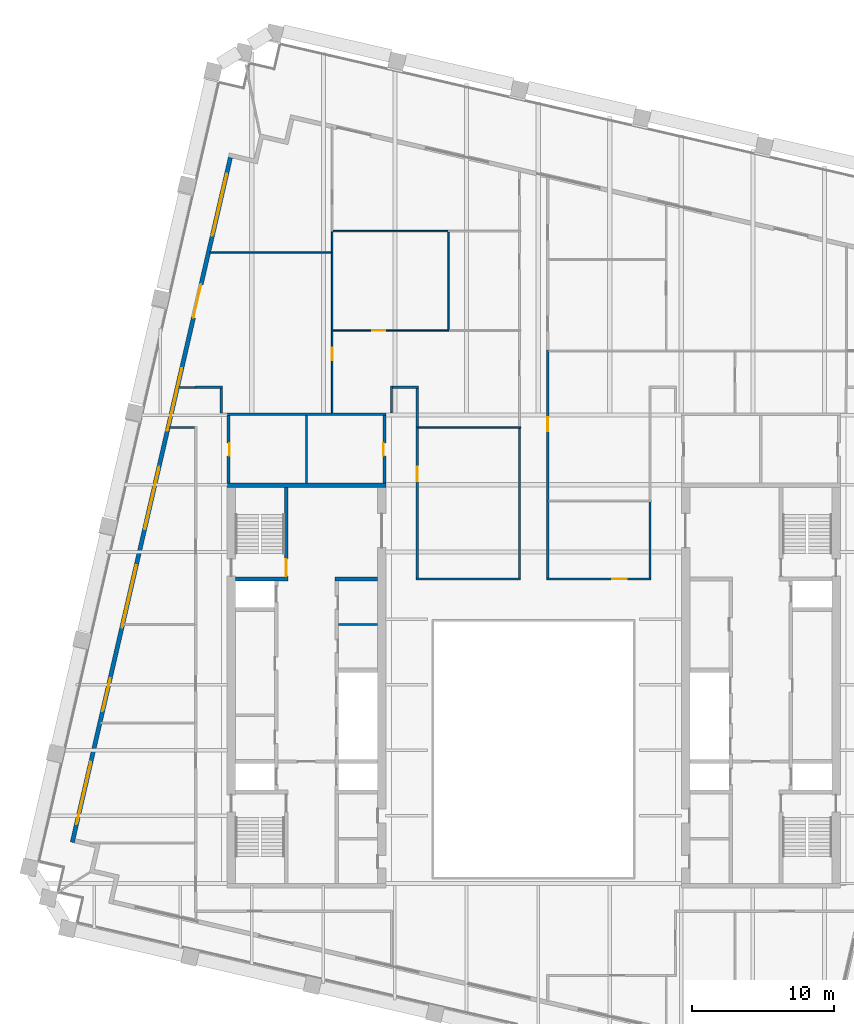
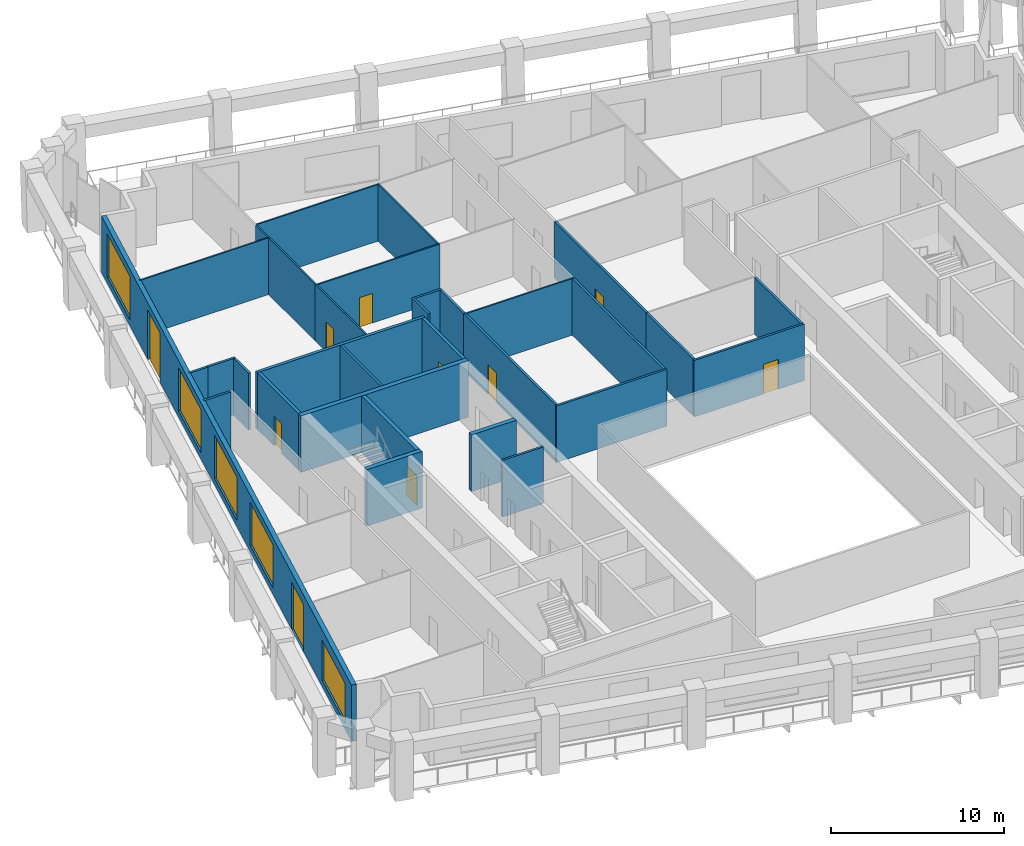
# One storey, part 6 of 10: 32 walls, 10 doors, 5 windows, 15 openings.
"""IFC4 building model written with IfcOpenShell, lengths in metres."""

import ifcopenshell
import ifcopenshell.guid

model = None  # the IFC model being written
_history = None  # IfcOwnerHistory: only IFC2X3 demands one
_inside = {}  # id of a spatial element -> (the spatial element, [elements in it])
_under = {}  # id of a project, library or spatial element -> (it, [spatial elements below it])
_declared = {}  # id of a project -> (the project, [libraries it declares])
_typed = {}  # id of a type object -> (the type object, [elements of that type])
_made_of = {}  # id of a material, layer set ... -> (it, [elements and type objects made of it])


def new_model(schema):
    """Start an empty IFC model of exactly this schema.

    Asked for "IFC4X3", IfcOpenShell would pick the latest addendum, in which some entities
    have other attributes; the version numbers below select the first issue.
    IFC2X3 requires an IfcOwnerHistory on every rooted entity: one is made here for all.
    """
    global model, _history
    if schema == "IFC4X3":
        model = ifcopenshell.file(schema_version=(4, 3, 0, 0))
    else:
        model = ifcopenshell.file(schema=schema)
    _inside.clear()
    _under.clear()
    _declared.clear()
    _typed.clear()
    _made_of.clear()
    _history = None
    if model.schema == "IFC2X3":
        org = make("IfcOrganization", Name="unknown")
        user = make(
            "IfcPersonAndOrganization",
            ThePerson=make("IfcPerson", FamilyName="unknown"),
            TheOrganization=org,
        )
        app = make(
            "IfcApplication",
            ApplicationDeveloper=org,
            Version="unknown",
            ApplicationFullName="unknown",
            ApplicationIdentifier="unknown",
        )
        _history = make(
            "IfcOwnerHistory",
            OwningUser=user,
            OwningApplication=app,
            ChangeAction="ADDED",
            CreationDate=0,
        )
    return model


def make(cls, **values):
    """One entity of the class cls with the attributes given. An attribute that is None is left unset."""
    return model.create_entity(
        cls, **{name: value for name, value in values.items() if value is not None}
    )


def rooted(cls, **values):
    """An entity with a GlobalId (a new one), such as an element, a storey or a relation."""
    return make(cls, GlobalId=ifcopenshell.guid.new(), OwnerHistory=_history, **values)


def si_unit(unit_type, name, prefix=None):
    """IfcSIUnit, for example si_unit("LENGTHUNIT", "METRE", prefix="MILLI")."""
    return make("IfcSIUnit", UnitType=unit_type, Prefix=prefix, Name=name)


def assignment(units):
    """IfcUnitAssignment: the units of a project."""
    return None if units is None else make("IfcUnitAssignment", Units=units)


def point(xyz):
    """IfcCartesianPoint."""
    return None if xyz is None else make("IfcCartesianPoint", Coordinates=xyz)


def direction(xyz):
    """IfcDirection."""
    return None if xyz is None else make("IfcDirection", DirectionRatios=xyz)


def frame(location, z_axis=None, x_axis=None):
    """IfcAxis2Placement3D, a coordinate frame: its origin and axes. An axis left out is left unset."""
    return make(
        "IfcAxis2Placement3D",
        Location=point(location),
        Axis=direction(z_axis),
        RefDirection=direction(x_axis),
    )


def frame_2d(location, x_axis=None):
    """IfcAxis2Placement2D, a coordinate frame in the plane: its origin and x axis."""
    return make(
        "IfcAxis2Placement2D", Location=point(location), RefDirection=direction(x_axis)
    )


def origin():
    """The frame at (0, 0, 0) with its axes left unset."""
    return frame((0.0, 0.0, 0.0))


def place(relative_to, where):
    """IfcLocalPlacement: puts the frame where relative to a parent placement (None: the world)."""
    return make(
        "IfcLocalPlacement", PlacementRelTo=relative_to, RelativePlacement=where
    )


def context(
    kind, dimensions, precision=None, world=None, true_north=None, identifier=None
):
    """IfcGeometricRepresentationContext, for example the 3D "Model" context."""
    return make(
        "IfcGeometricRepresentationContext",
        ContextIdentifier=identifier,
        ContextType=kind,
        CoordinateSpaceDimension=dimensions,
        Precision=precision,
        WorldCoordinateSystem=world,
        TrueNorth=true_north,
    )


def subcontext(parent, identifier, kind, view, scale=None):
    """IfcGeometricRepresentationSubContext, for example "Body" below "Model"."""
    return make(
        "IfcGeometricRepresentationSubContext",
        ContextIdentifier=identifier,
        ContextType=kind,
        ParentContext=parent,
        TargetScale=scale,
        TargetView=view,
    )


def project(units=None, contexts=None):
    """IfcProject with its units and contexts."""
    return rooted(
        "IfcProject",
        Name="project",
        RepresentationContexts=contexts,
        UnitsInContext=assignment(units),
    )


def spatial(cls, under=None, at=None, **own):
    """A site, building, storey or space (cls), placed at a placement, below another one or the project."""
    s = rooted(cls, ObjectPlacement=at, **own)
    if under is not None:
        _under.setdefault(under.id(), (under, []))[1].append(s)
    return s


def profile(cls, at=None, kind="AREA", **sizes):
    """A parametric profile (cls). Its sizes go by their IFC names, for example OverallWidth=200.0."""
    return make(cls, ProfileType=kind, Position=at, **sizes)


def rectangle(**sizes):
    """IfcRectangleProfileDef."""
    return profile("IfcRectangleProfileDef", **sizes)


def extrude(swept, where, along, depth):
    """IfcExtrudedAreaSolid: the profile swept, set in the frame where, extruded along a direction by depth."""
    return make(
        "IfcExtrudedAreaSolid",
        SweptArea=swept,
        Position=where,
        ExtrudedDirection=direction(along),
        Depth=depth,
    )


def shape(context_of_items, identifier, shape_type, items):
    """IfcShapeRepresentation: the items that make up one representation, for example the "Body"."""
    return make(
        "IfcShapeRepresentation",
        ContextOfItems=context_of_items,
        RepresentationIdentifier=identifier,
        RepresentationType=shape_type,
        Items=items,
    )


def material(Name=None, Category=None):
    """IfcMaterial."""
    return make("IfcMaterial", Name=Name, Category=Category)


def layer(
    of_material, thickness, ventilated=None, Name=None, Category=None, Priority=None
):
    """IfcMaterialLayer: one layer of a wall or slab, of a material (None: an air gap)."""
    return make(
        "IfcMaterialLayer",
        Material=of_material,
        LayerThickness=thickness,
        IsVentilated=ventilated,
        Name=Name,
        Category=Category,
        Priority=Priority,
    )


def layer_set(layers, Name=None):
    """IfcMaterialLayerSet."""
    return make("IfcMaterialLayerSet", MaterialLayers=layers, LayerSetName=Name)


def made_of(thing, what):
    """Note that an element or type object is made of a material, layer set ...; save() writes the relation."""
    if what is not None:
        _made_of.setdefault(what.id(), (what, []))[1].append(thing)
    return thing


def type_object(cls, material=None, **own):
    """A type object (cls), such as IfcWallType, which elements share."""
    return made_of(rooted(cls, **own), material)


def element(
    cls,
    number,
    at=None,
    inside=None,
    cuts=None,
    type_object=None,
    material=None,
    context=None,
    identifier="Body",
    shape_type=None,
    held_by="IfcProductDefinitionShape",
    body=None,
    shapes=None,
    **own,
):
    """One element of the class cls, such as IfcWall. Its Tag is "e" and its number.

    at: its placement. inside: the storey or other place that contains it. cuts: it is an
    opening in that element (IfcRelVoidsElement). A single representation is given by context,
    identifier, shape_type and body (its items); several are given by shapes. held_by: the class
    of the entity that holds the representations. save() writes the other relations.
    """
    e = rooted(cls, Tag="e%d" % number, ObjectPlacement=at, **own)
    if body is not None:
        shapes = [shape(context, identifier, shape_type, body)]
    if shapes is not None:
        e.Representation = make(held_by, Representations=shapes)
    if inside is not None:
        _inside.setdefault(inside.id(), (inside, []))[1].append(e)
    if cuts is not None:
        rooted(
            "IfcRelVoidsElement", RelatingBuildingElement=cuts, RelatedOpeningElement=e
        )
    if type_object is not None:
        _typed.setdefault(type_object.id(), (type_object, []))[1].append(e)
    return made_of(e, material)


def fill(opening, filler):
    """IfcRelFillsElement: the door or window that sits in an opening."""
    return rooted(
        "IfcRelFillsElement",
        RelatingOpeningElement=opening,
        RelatedBuildingElement=filler,
    )


def aggregate(whole, parts):
    """IfcRelAggregates: a whole, such as a stair, and the parts it consists of."""
    return rooted("IfcRelAggregates", RelatingObject=whole, RelatedObjects=parts)


def save(model, path):
    """Write the relations noted so far, then the file.

    IfcRelAggregates (storeys below a building ...), IfcRelContainedInSpatialStructure (elements
    in a storey), IfcRelDefinesByType, IfcRelAssociatesMaterial and IfcRelDeclares: one each for
    every whole, place, type object, material and project.
    """
    for whole, parts in _under.values():
        aggregate(whole, parts)
    for where, things in _inside.values():
        rooted(
            "IfcRelContainedInSpatialStructure",
            RelatedElements=things,
            RelatingStructure=where,
        )
    for kind, things in _typed.values():
        rooted("IfcRelDefinesByType", RelatedObjects=things, RelatingType=kind)
    for what, things in _made_of.values():
        rooted("IfcRelAssociatesMaterial", RelatedObjects=things, RelatingMaterial=what)
    for by, libraries in _declared.values():
        rooted("IfcRelDeclares", RelatingContext=by, RelatedDefinitions=libraries)
    model.write(path)


model = new_model("IFC4")

# Units and contexts
model_context = context("Model", 3, precision=1e-05, world=origin(), true_north=direction((0.0, 1.0)))
body_context = subcontext(model_context, "Body", "Model", "MODEL_VIEW")
ifc_project = project(units=[si_unit("LENGTHUNIT", "METRE"), si_unit("AREAUNIT", "SQUARE_METRE"), si_unit("VOLUMEUNIT", "CUBIC_METRE"), si_unit("PLANEANGLEUNIT", "RADIAN"), si_unit("MASSUNIT", "GRAM", prefix="KILO")], contexts=[model_context])

# Site, building, storey
site_placement = place(None, origin())
site = spatial("IfcSite", under=ifc_project, at=site_placement, CompositionType="ELEMENT")
building_placement = place(site_placement, origin())
building = spatial("IfcBuilding", under=site, at=building_placement, Name="Ogive Exchange Tower", CompositionType="ELEMENT")
storey_placement = place(building_placement, frame((0.0, 0.0, 268.199951171875)))
storey = spatial("IfcBuildingStorey", under=building, at=storey_placement, Name="L58", CompositionType="ELEMENT", Elevation=268.199951171875)

# Walls
ifc_material_1 = material(Name="Gypsum board partition")
ifc_layer_1 = layer(ifc_material_1, 0.14990234375)
ifc_layer_set_1 = layer_set([ifc_layer_1], Name="Core room partition 150 gypsum")
wall_type_1 = type_object("IfcWallType", Name="Core room partition 150 gypsum", PredefinedType="PARTITIONING", material=ifc_layer_set_1)
wall_1_placement = place(storey_placement, frame((-13.75, 15.800048828125, 0.0), z_axis=(0.0, 0.0, 1.0), x_axis=(1.0, 0.0, 0.0)))
element("IfcWall", 1, at=wall_1_placement, inside=storey, type_object=wall_type_1, Name="W row B bay partition 4-1", PredefinedType="PARTITIONING", context=body_context, shape_type="SweptSolid", body=[
    extrude(rectangle(XDim=2.75, YDim=0.14990234375, at=frame_2d((1.375, 0.0))), origin(), (0.0, 0.0, 1.0), 4.0),
])
wall_2_placement = place(storey_placement, frame((-16.0, 25.75, 0.0), z_axis=(0.0, 0.0, 1.0), x_axis=(0.0, 1.0, 0.0)))
element("IfcWall", 2, at=wall_2_placement, inside=storey, type_object=wall_type_1, Name="W annex N column wall", PredefinedType="PARTITIONING", context=body_context, shape_type="SweptSolid", body=[
    extrude(rectangle(XDim=4.75, YDim=0.14990234375, at=frame_2d((2.375, 0.0))), origin(), (0.0, 0.0, 1.0), 4.0),
])
ifc_layer_2 = layer(ifc_material_1, 0.300048828125)
ifc_layer_set_2 = layer_set([ifc_layer_2], Name="Core room partition 300 gypsum")
wall_type_2 = type_object("IfcWallType", Name="Core room partition 300 gypsum", PredefinedType="PARTITIONING", material=ifc_layer_set_2)
wall_3_placement = place(storey_placement, frame((-14.0, 19.0, 0.0), z_axis=(0.0, 0.0, 1.0), x_axis=(1.0, 0.0, 0.0)))
element("IfcWall", 3, at=wall_3_placement, inside=storey, type_object=wall_type_2, Name="W row B room end wall 7", PredefinedType="PARTITIONING", context=body_context, shape_type="SweptSolid", body=[
    extrude(rectangle(XDim=3.0, YDim=0.300048828125, at=frame_2d((1.5, 0.0))), origin(), (0.0, 0.0, 1.0), 4.0),
])
ifc_material_2 = material(Name="Fire partition EI 60 150")
ifc_layer_3 = layer(ifc_material_2, 0.14990234375)
ifc_layer_set_3 = layer_set([ifc_layer_3], Name="Fire partition EI 60 150")
wall_type_3 = type_object("IfcWallType", Name="Fire partition EI 60 150", PredefinedType="PARTITIONING", material=ifc_layer_set_3)
wall_4_placement = place(storey_placement, frame((-25.02490234375, 32.489990234375, 0.0), z_axis=(0.0, 0.0, 1.0), x_axis=(1.0, 0.0, 0.0)))
element("IfcWall", 4, at=wall_4_placement, inside=storey, type_object=wall_type_3, Name="L58-PWL-001", PredefinedType="PARTITIONING", context=body_context, shape_type="SweptSolid", body=[
    extrude(rectangle(XDim=1.224853515625, YDim=0.14990234375, at=frame_2d((0.6123046875, 0.0))), origin(), (0.0, 0.0, 1.0), 4.0),
])
wall_5_placement = place(storey_placement, frame((-23.875, 29.659912109375, 0.0), z_axis=(0.0, 0.0, 1.0), x_axis=(-1.0, 0.0, 0.0)))
element("IfcWall", 5, at=wall_5_placement, inside=storey, type_object=wall_type_3, Name="L58-PWL-009", PredefinedType="PARTITIONING", context=body_context, shape_type="SweptSolid", body=[
    extrude(rectangle(XDim=1.802978515625, YDim=0.14990234375, at=frame_2d((0.9013671875, 0.0))), origin(), (0.0, 0.0, 1.0), 4.0),
])
wall_6_placement = place(storey_placement, frame((-23.800048828125, 32.5, 0.0), z_axis=(0.0, 0.0, 1.0), x_axis=(1.0, 0.0, 0.0)))
element("IfcWall", 6, at=wall_6_placement, inside=storey, type_object=wall_type_3, Name="L58-PWL-010", PredefinedType="PARTITIONING", context=body_context, shape_type="SweptSolid", body=[
    extrude(rectangle(XDim=1.875, YDim=0.14990234375, at=frame_2d((0.9375, 0.0))), origin(), (0.0, 0.0, 1.0), 4.0),
])
wall_7_placement = place(storey_placement, frame((-22.0, 32.425048828125, 0.0), z_axis=(0.0, 0.0, 1.0), x_axis=(0.0, -1.0, 0.0)))
element("IfcWall", 7, at=wall_7_placement, inside=storey, type_object=wall_type_3, Name="L58-PWL-012", PredefinedType="PARTITIONING", context=body_context, shape_type="SweptSolid", body=[
    extrude(rectangle(XDim=1.72509765625, YDim=0.14990234375, at=frame_2d((0.862548828125, 0.0))), origin(), (0.0, 0.0, 1.0), 4.0),
])
wall_8_placement = place(storey_placement, frame((-10.0, 30.699951171875, 0.0), z_axis=(0.0, 0.0, 1.0), x_axis=(0.0, 1.0, 0.0)))
element("IfcWall", 8, at=wall_8_placement, inside=storey, type_object=wall_type_3, Name="L58-PWL-022", PredefinedType="PARTITIONING", context=body_context, shape_type="SweptSolid", body=[
    extrude(rectangle(XDim=1.875, YDim=0.14990234375, at=frame_2d((0.9375, 0.0))), origin(), (0.0, 0.0, 1.0), 4.0),
])
wall_9_placement = place(storey_placement, frame((-9.925048828125, 32.5, 0.0), z_axis=(0.0, 0.0, 1.0), x_axis=(1.0, 0.0, 0.0)))
element("IfcWall", 9, at=wall_9_placement, inside=storey, type_object=wall_type_3, Name="L58-PWL-023", PredefinedType="PARTITIONING", context=body_context, shape_type="SweptSolid", body=[
    extrude(rectangle(XDim=1.800048828125, YDim=0.14990234375, at=frame_2d((0.89990234375, 0.0))), origin(), (0.0, 0.0, 1.0), 4.0),
])
wall_10_placement = place(storey_placement, frame((-8.27490234375, 19.0, 0.0), z_axis=(0.0, 0.0, 1.0), x_axis=(1.0, 0.0, 0.0)))
element("IfcWall", 10, at=wall_10_placement, inside=storey, type_object=wall_type_3, Name="L58-PWL-024", PredefinedType="PARTITIONING", context=body_context, shape_type="SweptSolid", body=[
    extrude(rectangle(XDim=7.35986328125, YDim=0.14990234375, at=frame_2d((3.679931640625, 0.0))), origin(), (0.0, 0.0, 1.0), 4.0),
])

# Wall, opening, door
wall_11_placement = place(storey_placement, frame((-8.199951171875, 29.7099609375, 0.0), z_axis=(0.0, 0.0, 1.0), x_axis=(0.0, -1.0, 0.0)))
wall_11 = element("IfcWall", 11, at=wall_11_placement, inside=storey, type_object=wall_type_3, Name="L58-PWL-025", PredefinedType="PARTITIONING", context=body_context, shape_type="SweptSolid", body=[
    extrude(rectangle(XDim=10.635009765625, YDim=0.14990234375, at=frame_2d((5.3173828125, 0.0))), origin(), (0.0, 0.0, 1.0), 4.0),
])
opening_1_placement = place(wall_11_placement, frame((2.81005859375, 0.0, 0.0)))
opening_1 = element("IfcOpeningElement", 12, at=opening_1_placement, cuts=wall_11, Name="Opening L58-I15", PredefinedType="OPENING", context=body_context, shape_type="SweptSolid", body=[
    extrude(rectangle(XDim=1.0, YDim=2.10009765625, at=frame_2d((0.5, 1.050048828125))), frame((0.0, 0.0849609375, 0.0), z_axis=(0.0, -1.0, 0.0), x_axis=(1.0, 0.0, 0.0)), (0.0, 0.0, 1.0), 0.169921875),
])
ifc_material_3 = material(Name="Fire door FD 30S 1000 x 2100")
door_type_1 = type_object("IfcDoorType", Name="Fire door FD 30S 1000 x 2100", OperationType="NOTDEFINED", PredefinedType="DOOR", material=ifc_material_3)
door_1_placement = place(opening_1_placement, origin())
door_1 = element("IfcDoor", 13, at=door_1_placement, inside=storey, type_object=door_type_1, Name="L58-IDR-015", ObjectType="DT3", OperationType="SINGLE_SWING_RIGHT", OverallHeight=2.10009765625, OverallWidth=1.0, PredefinedType="DOOR", context=body_context, shape_type="SweptSolid", body=[
    extrude(rectangle(XDim=1.0, YDim=2.10009765625, at=frame_2d((0.5, 1.050048828125))), frame((0.0, 0.02490234375, 0.0), z_axis=(0.0, -1.0, 0.0), x_axis=(1.0, 0.0, 0.0)), (0.0, 0.0, 1.0), 0.050048828125),
])
fill(opening_1, door_1)

# Walls
wall_12_placement = place(storey_placement, frame((-8.199951171875, 32.425048828125, 0.0), z_axis=(0.0, 0.0, 1.0), x_axis=(0.0, -1.0, 0.0)))
element("IfcWall", 14, at=wall_12_placement, inside=storey, type_object=wall_type_3, Name="L58-PWL-027", PredefinedType="PARTITIONING", context=body_context, shape_type="SweptSolid", body=[
    extrude(rectangle(XDim=2.715087890625, YDim=0.14990234375, at=frame_2d((1.357421875, 0.0))), origin(), (0.0, 0.0, 1.0), 4.0),
])
wall_13_placement = place(storey_placement, frame((-0.989990234375, 19.074951171875, 0.0), z_axis=(0.0, 0.0, 1.0), x_axis=(0.0, 1.0, 0.0)))
element("IfcWall", 15, at=wall_13_placement, inside=storey, type_object=wall_type_3, Name="L58-PWL-031", PredefinedType="PARTITIONING", context=body_context, shape_type="SweptSolid", body=[
    extrude(rectangle(XDim=10.53515625, YDim=0.14990234375, at=frame_2d((5.267578125, 0.0))), origin(), (0.0, 0.0, 1.0), 4.0),
])

# Wall, opening, door
wall_14_placement = place(storey_placement, frame((0.9150390625, 19.0, 0.0), z_axis=(0.0, 0.0, 1.0), x_axis=(1.0, 0.0, 0.0)))
wall_14 = element("IfcWall", 16, at=wall_14_placement, inside=storey, type_object=wall_type_3, Name="L58-PWL-036", PredefinedType="PARTITIONING", context=body_context, shape_type="SweptSolid", body=[
    extrude(rectangle(XDim=7.35986328125, YDim=0.14990234375, at=frame_2d((3.679931640625, 0.0))), origin(), (0.0, 0.0, 1.0), 4.0),
])
opening_2_placement = place(wall_14_placement, frame((4.635009765625, 0.0, 0.0)))
opening_2 = element("IfcOpeningElement", 17, at=opening_2_placement, cuts=wall_14, Name="Opening L58-I04", PredefinedType="OPENING", context=body_context, shape_type="SweptSolid", body=[
    extrude(rectangle(XDim=1.0, YDim=2.10009765625, at=frame_2d((0.5, 1.050048828125))), frame((0.0, 0.0849609375, 0.0), z_axis=(0.0, -1.0, 0.0), x_axis=(1.0, 0.0, 0.0)), (0.0, 0.0, 1.0), 0.169921875),
])
door_2_placement = place(opening_2_placement, origin())
door_2 = element("IfcDoor", 18, at=door_2_placement, inside=storey, type_object=door_type_1, Name="L58-IDR-004", ObjectType="DT3", OperationType="SINGLE_SWING_LEFT", OverallHeight=2.10009765625, OverallWidth=1.0, PredefinedType="DOOR", context=body_context, shape_type="SweptSolid", body=[
    extrude(rectangle(XDim=1.0, YDim=2.10009765625, at=frame_2d((0.5, 1.050048828125))), frame((0.0, 0.02490234375, 0.0), z_axis=(0.0, -1.0, 0.0), x_axis=(1.0, 0.0, 0.0)), (0.0, 0.0, 1.0), 0.050048828125),
])
fill(opening_2, door_2)

# Wall
wall_15_placement = place(storey_placement, frame((0.989990234375, 24.5, 0.0), z_axis=(0.0, 0.0, 1.0), x_axis=(0.0, -1.0, 0.0)))
element("IfcWall", 19, at=wall_15_placement, inside=storey, type_object=wall_type_3, Name="L58-PWL-037", PredefinedType="PARTITIONING", context=body_context, shape_type="SweptSolid", body=[
    extrude(rectangle(XDim=5.425048828125, YDim=0.14990234375, at=frame_2d((2.71240234375, 0.0))), origin(), (0.0, 0.0, 1.0), 4.0),
])

# Wall, opening, door
wall_16_placement = place(storey_placement, frame((0.989990234375, 35.1201171875, 0.0), z_axis=(0.0, 0.0, 1.0), x_axis=(0.0, -1.0, 0.0)))
wall_16 = element("IfcWall", 20, at=wall_16_placement, inside=storey, type_object=wall_type_3, Name="L58-PWL-039", PredefinedType="PARTITIONING", context=body_context, shape_type="SweptSolid", body=[
    extrude(rectangle(XDim=10.6201171875, YDim=0.14990234375, at=frame_2d((5.31005859375, 0.0))), origin(), (0.0, 0.0, 1.0), 4.0),
])
opening_3_placement = place(wall_16_placement, frame((4.719970703125, 0.0, 0.0)))
opening_3 = element("IfcOpeningElement", 21, at=opening_3_placement, cuts=wall_16, Name="Opening L58-I05", PredefinedType="OPENING", context=body_context, shape_type="SweptSolid", body=[
    extrude(rectangle(XDim=1.0, YDim=2.10009765625, at=frame_2d((0.5, 1.050048828125))), frame((0.0, 0.0849609375, 0.0), z_axis=(0.0, -1.0, 0.0), x_axis=(1.0, 0.0, 0.0)), (0.0, 0.0, 1.0), 0.169921875),
])
door_3_placement = place(opening_3_placement, origin())
door_3 = element("IfcDoor", 22, at=door_3_placement, inside=storey, type_object=door_type_1, Name="L58-IDR-005", ObjectType="DT3", OperationType="SINGLE_SWING_RIGHT", OverallHeight=2.10009765625, OverallWidth=1.0, PredefinedType="DOOR", context=body_context, shape_type="SweptSolid", body=[
    extrude(rectangle(XDim=1.0, YDim=2.10009765625, at=frame_2d((0.5, 1.050048828125))), frame((0.0, 0.02490234375, 0.0), z_axis=(0.0, -1.0, 0.0), x_axis=(1.0, 0.0, 0.0)), (0.0, 0.0, 1.0), 0.050048828125),
])
fill(opening_3, door_3)

# Wall
wall_17_placement = place(storey_placement, frame((8.199951171875, 19.074951171875, 0.0), z_axis=(0.0, 0.0, 1.0), x_axis=(0.0, 1.0, 0.0)))
element("IfcWall", 23, at=wall_17_placement, inside=storey, type_object=wall_type_3, Name="L58-PWL-042", PredefinedType="PARTITIONING", context=body_context, shape_type="SweptSolid", body=[
    extrude(rectangle(XDim=5.375, YDim=0.14990234375, at=frame_2d((2.6875, 0.0))), origin(), (0.0, 0.0, 1.0), 4.0),
])

# Wall, openings, doors, windows
ifc_material_4 = material(Name="Precast concrete C40/50", Category="concrete")
ifc_layer_4 = layer(ifc_material_4, 0.300048828125)
ifc_layer_set_4 = layer_set([ifc_layer_4], Name="Limestone-faced wall 300")
wall_type_4 = type_object("IfcWallType", Name="Limestone-faced wall 300", PredefinedType="STANDARD", material=ifc_layer_set_4)
wall_18_placement = place(storey_placement, frame((-21.35888671875, 48.67822265625, 0.0), z_axis=(0.0, 0.0, 1.0), x_axis=(-0.224949198343, -0.974370493275, 0.0)))
wall_18 = element("IfcWall", 24, at=wall_18_placement, inside=storey, type_object=wall_type_4, Name="External wall W4", PredefinedType="STANDARD", context=body_context, shape_type="SweptSolid", body=[
    extrude(rectangle(XDim=49.5, YDim=0.300048828125, at=frame_2d((24.75, 0.0))), origin(), (0.0, 0.0, 1.0), 4.0),
])
opening_4_placement = place(wall_18_placement, frame((1.156982421875, 0.0, 0.449951171875)))
opening_4 = element("IfcOpeningElement", 25, at=opening_4_placement, cuts=wall_18, Name="Opening W1", PredefinedType="OPENING", context=body_context, shape_type="SweptSolid", body=[
    extrude(rectangle(XDim=4.5, YDim=3.050048828125, at=frame_2d((2.25, 1.52490234375))), frame((0.0, 0.159912109375, 0.0), z_axis=(0.0, -1.0, 0.0), x_axis=(1.0, 0.0, 0.0)), (0.0, 0.0, 1.0), 0.320068359375),
])
opening_5_placement = place(wall_18_placement, frame((9.17138671875, 0.0, 0.0)))
opening_5 = element("IfcOpeningElement", 26, at=opening_5_placement, cuts=wall_18, Name="Opening D1", PredefinedType="OPENING", context=body_context, shape_type="SweptSolid", body=[
    extrude(rectangle(XDim=2.39990234375, YDim=3.5, at=frame_2d((1.199951171875, 1.75))), frame((0.0, 0.159912109375, 0.0), z_axis=(0.0, -1.0, 0.0), x_axis=(1.0, 0.0, 0.0)), (0.0, 0.0, 1.0), 0.320068359375),
])
opening_6_placement = place(wall_18_placement, frame((15.235595703125, 0.0, 0.449951171875)))
opening_6 = element("IfcOpeningElement", 27, at=opening_6_placement, cuts=wall_18, Name="Opening W1", PredefinedType="OPENING", context=body_context, shape_type="SweptSolid", body=[
    extrude(rectangle(XDim=4.5, YDim=3.050048828125, at=frame_2d((2.25, 1.52490234375))), frame((0.0, 0.159912109375, 0.0), z_axis=(0.0, -1.0, 0.0), x_axis=(1.0, 0.0, 0.0)), (0.0, 0.0, 1.0), 0.320068359375),
])
opening_7_placement = place(wall_18_placement, frame((22.35009765625, 0.0, 0.449951171875)))
opening_7 = element("IfcOpeningElement", 28, at=opening_7_placement, cuts=wall_18, Name="Opening W1", PredefinedType="OPENING", context=body_context, shape_type="SweptSolid", body=[
    extrude(rectangle(XDim=4.5, YDim=3.050048828125, at=frame_2d((2.25, 1.52490234375))), frame((0.0, 0.159912109375, 0.0), z_axis=(0.0, -1.0, 0.0), x_axis=(1.0, 0.0, 0.0)), (0.0, 0.0, 1.0), 0.320068359375),
])
opening_8_placement = place(wall_18_placement, frame((29.464111328125, 0.0, 0.449951171875)))
opening_8 = element("IfcOpeningElement", 29, at=opening_8_placement, cuts=wall_18, Name="Opening W1", PredefinedType="OPENING", context=body_context, shape_type="SweptSolid", body=[
    extrude(rectangle(XDim=4.5, YDim=3.050048828125, at=frame_2d((2.25, 1.52490234375))), frame((0.0, 0.159912109375, 0.0), z_axis=(0.0, -1.0, 0.0), x_axis=(1.0, 0.0, 0.0)), (0.0, 0.0, 1.0), 0.320068359375),
])
opening_9_placement = place(wall_18_placement, frame((37.62841796875, 0.0, 0.0)))
opening_9 = element("IfcOpeningElement", 30, at=opening_9_placement, cuts=wall_18, Name="Opening D1C", PredefinedType="OPENING", context=body_context, shape_type="SweptSolid", body=[
    extrude(rectangle(XDim=2.39990234375, YDim=3.324951171875, at=frame_2d((1.199951171875, 1.66259765625))), frame((0.0, 0.159912109375, 0.0), z_axis=(0.0, -1.0, 0.0), x_axis=(1.0, 0.0, 0.0)), (0.0, 0.0, 1.0), 0.320068359375),
])
opening_10_placement = place(wall_18_placement, frame((43.69287109375, 0.0, 0.449951171875)))
opening_10 = element("IfcOpeningElement", 31, at=opening_10_placement, cuts=wall_18, Name="Opening W1E", PredefinedType="OPENING", context=body_context, shape_type="SweptSolid", body=[
    extrude(rectangle(XDim=4.5, YDim=2.824951171875, at=frame_2d((2.25, 1.41259765625))), frame((0.0, 0.159912109375, 0.0), z_axis=(0.0, -1.0, 0.0), x_axis=(1.0, 0.0, 0.0)), (0.0, 0.0, 1.0), 0.320068359375),
])
ifc_material_5 = material(Name="Clear glass in bronze frame", Category="glass")
door_type_2 = type_object("IfcDoorType", Name="Sliding loggia door 2400 x 3325", OperationType="DOUBLE_DOOR_SLIDING", PredefinedType="DOOR", material=ifc_material_5)
door_4_placement = place(opening_9_placement, origin())
door_4 = element("IfcDoor", 32, at=door_4_placement, inside=storey, type_object=door_type_2, Name="Loggia door W05", OperationType="DOUBLE_DOOR_SLIDING", OverallHeight=3.324951171875, OverallWidth=2.39990234375, PredefinedType="DOOR", context=body_context, shape_type="SweptSolid", body=[
    extrude(rectangle(XDim=2.39990234375, YDim=3.324951171875, at=frame_2d((1.199951171875, 1.66259765625))), frame((0.0, 0.02490234375, 0.0), z_axis=(0.0, -1.0, 0.0), x_axis=(1.0, 0.0, 0.0)), (0.0, 0.0, 1.0), 0.050048828125),
])
fill(opening_9, door_4)
door_type_3 = type_object("IfcDoorType", Name="Sliding loggia door 2400 x 3500", OperationType="DOUBLE_DOOR_SLIDING", PredefinedType="DOOR", material=ifc_material_5)
door_5_placement = place(opening_5_placement, origin())
door_5 = element("IfcDoor", 33, at=door_5_placement, inside=storey, type_object=door_type_3, Name="Loggia door W01", OperationType="DOUBLE_DOOR_SLIDING", OverallHeight=3.5, OverallWidth=2.39990234375, PredefinedType="DOOR", context=body_context, shape_type="SweptSolid", body=[
    extrude(rectangle(XDim=2.39990234375, YDim=3.5, at=frame_2d((1.199951171875, 1.75))), frame((0.0, 0.02490234375, 0.0), z_axis=(0.0, -1.0, 0.0), x_axis=(1.0, 0.0, 0.0)), (0.0, 0.0, 1.0), 0.050048828125),
])
fill(opening_5, door_5)
window_type_1 = type_object("IfcWindowType", Name="Twin lancet window 4500 x 2825", PartitioningType="DOUBLE_PANEL_VERTICAL", PredefinedType="WINDOW", material=ifc_material_5)
window_1_placement = place(opening_10_placement, origin())
window_1 = element("IfcWindow", 34, at=window_1_placement, inside=storey, type_object=window_type_1, Name="Window W06", OverallHeight=2.824951171875, OverallWidth=4.5, PartitioningType="DOUBLE_PANEL_VERTICAL", PredefinedType="WINDOW", context=body_context, shape_type="SweptSolid", body=[
    extrude(rectangle(XDim=4.5, YDim=2.824951171875, at=frame_2d((2.25, 1.41259765625))), frame((0.0, 0.030029296875, 0.0), z_axis=(0.0, -1.0, 0.0), x_axis=(1.0, 0.0, 0.0)), (0.0, 0.0, 1.0), 0.06005859375),
])
fill(opening_10, window_1)
window_type_2 = type_object("IfcWindowType", Name="Twin lancet window 4500 x 3050", PartitioningType="DOUBLE_PANEL_VERTICAL", PredefinedType="WINDOW", material=ifc_material_5)
window_2_placement = place(opening_4_placement, origin())
window_2 = element("IfcWindow", 35, at=window_2_placement, inside=storey, type_object=window_type_2, Name="Window W00", OverallHeight=3.050048828125, OverallWidth=4.5, PartitioningType="DOUBLE_PANEL_VERTICAL", PredefinedType="WINDOW", context=body_context, shape_type="SweptSolid", body=[
    extrude(rectangle(XDim=4.5, YDim=3.050048828125, at=frame_2d((2.25, 1.52490234375))), frame((0.0, 0.030029296875, 0.0), z_axis=(0.0, -1.0, 0.0), x_axis=(1.0, 0.0, 0.0)), (0.0, 0.0, 1.0), 0.06005859375),
])
fill(opening_4, window_2)
window_3_placement = place(opening_6_placement, origin())
window_3 = element("IfcWindow", 36, at=window_3_placement, inside=storey, type_object=window_type_2, Name="Window W02", OverallHeight=3.050048828125, OverallWidth=4.5, PartitioningType="DOUBLE_PANEL_VERTICAL", PredefinedType="WINDOW", context=body_context, shape_type="SweptSolid", body=[
    extrude(rectangle(XDim=4.5, YDim=3.050048828125, at=frame_2d((2.25, 1.52490234375))), frame((0.0, 0.030029296875, 0.0), z_axis=(0.0, -1.0, 0.0), x_axis=(1.0, 0.0, 0.0)), (0.0, 0.0, 1.0), 0.06005859375),
])
fill(opening_6, window_3)
window_4_placement = place(opening_7_placement, origin())
window_4 = element("IfcWindow", 37, at=window_4_placement, inside=storey, type_object=window_type_2, Name="Window W03", OverallHeight=3.050048828125, OverallWidth=4.5, PartitioningType="DOUBLE_PANEL_VERTICAL", PredefinedType="WINDOW", context=body_context, shape_type="SweptSolid", body=[
    extrude(rectangle(XDim=4.5, YDim=3.050048828125, at=frame_2d((2.25, 1.52490234375))), frame((0.0, 0.030029296875, 0.0), z_axis=(0.0, -1.0, 0.0), x_axis=(1.0, 0.0, 0.0)), (0.0, 0.0, 1.0), 0.06005859375),
])
fill(opening_7, window_4)
window_5_placement = place(opening_8_placement, origin())
window_5 = element("IfcWindow", 38, at=window_5_placement, inside=storey, type_object=window_type_2, Name="Window W04", OverallHeight=3.050048828125, OverallWidth=4.5, PartitioningType="DOUBLE_PANEL_VERTICAL", PredefinedType="WINDOW", context=body_context, shape_type="SweptSolid", body=[
    extrude(rectangle(XDim=4.5, YDim=3.050048828125, at=frame_2d((2.25, 1.52490234375))), frame((0.0, 0.030029296875, 0.0), z_axis=(0.0, -1.0, 0.0), x_axis=(1.0, 0.0, 0.0)), (0.0, 0.0, 1.0), 0.06005859375),
])
fill(opening_8, window_5)

# Wall, opening, door
ifc_material_6 = material(Name="Partition 100 gypsum")
ifc_layer_5 = layer(ifc_material_6, 0.10009765625)
ifc_layer_set_5 = layer_set([ifc_layer_5], Name="Partition 100 gypsum")
wall_type_5 = type_object("IfcWallType", Name="Partition 100 gypsum", PredefinedType="PARTITIONING", material=ifc_layer_set_5)
wall_19_placement = place(storey_placement, frame((-14.18994140625, 30.699951171875, 0.0), z_axis=(0.0, 0.0, 1.0), x_axis=(0.0, 1.0, 0.0)))
wall_19 = element("IfcWall", 39, at=wall_19_placement, inside=storey, type_object=wall_type_5, Name="L58-PWL-013", PredefinedType="PARTITIONING", context=body_context, shape_type="SweptSolid", body=[
    extrude(rectangle(XDim=5.85009765625, YDim=0.10009765625, at=frame_2d((2.925048828125, 0.0))), origin(), (0.0, 0.0, 1.0), 4.0),
])
opening_11_placement = place(wall_19_placement, frame((3.699951171875, 0.0, 0.0)))
opening_11 = element("IfcOpeningElement", 40, at=opening_11_placement, cuts=wall_19, Name="Opening L58-I21", PredefinedType="OPENING", context=body_context, shape_type="SweptSolid", body=[
    extrude(rectangle(XDim=0.89990234375, YDim=2.10009765625, at=frame_2d((0.449951171875, 1.050048828125))), frame((0.0, 0.06005859375, 0.0), z_axis=(0.0, -1.0, 0.0), x_axis=(1.0, 0.0, 0.0)), (0.0, 0.0, 1.0), 0.1201171875),
])
ifc_material_7 = material(Name="Door 900 x 2100")
door_type_4 = type_object("IfcDoorType", Name="Door 900 x 2100", OperationType="NOTDEFINED", PredefinedType="DOOR", material=ifc_material_7)
door_6_placement = place(opening_11_placement, frame((0.89990234375, 0.0, 0.0), z_axis=(0.0, 0.0, 1.0), x_axis=(-1.0, 0.0, 0.0)))
door_6 = element("IfcDoor", 41, at=door_6_placement, inside=storey, type_object=door_type_4, Name="L58-IDR-021", ObjectType="DT1", OperationType="SINGLE_SWING_RIGHT", OverallHeight=2.10009765625, OverallWidth=0.89990234375, PredefinedType="DOOR", context=body_context, shape_type="SweptSolid", body=[
    extrude(rectangle(XDim=0.89990234375, YDim=2.10009765625, at=frame_2d((0.449951171875, 1.050048828125))), frame((0.0, 0.02490234375, 0.0), z_axis=(0.0, -1.0, 0.0), x_axis=(1.0, 0.0, 0.0)), (0.0, 0.0, 1.0), 0.050048828125),
])
fill(opening_11, door_6)

# Wall
wall_20_placement = place(storey_placement, frame((-14.18994140625, 36.550048828125, 0.0), z_axis=(0.0, 0.0, 1.0), x_axis=(0.0, 1.0, 0.0)))
element("IfcWall", 42, at=wall_20_placement, inside=storey, type_object=wall_type_5, Name="L58-PWL-014", PredefinedType="PARTITIONING", context=body_context, shape_type="SweptSolid", body=[
    extrude(rectangle(XDim=5.5, YDim=0.10009765625, at=frame_2d((2.75, 0.0))), origin(), (0.0, 0.0, 1.0), 4.0),
])

# Wall, opening, door
wall_21_placement = place(storey_placement, frame((-14.139892578125, 36.5, 0.0), z_axis=(0.0, 0.0, 1.0), x_axis=(1.0, 0.0, 0.0)))
wall_21 = element("IfcWall", 43, at=wall_21_placement, inside=storey, type_object=wall_type_5, Name="L58-PWL-015", PredefinedType="PARTITIONING", context=body_context, shape_type="SweptSolid", body=[
    extrude(rectangle(XDim=8.18994140625, YDim=0.10009765625, at=frame_2d((4.094970703125, 0.0))), origin(), (0.0, 0.0, 1.0), 4.0),
])
opening_12_placement = place(wall_21_placement, frame((2.7900390625, 0.0, 0.0)))
opening_12 = element("IfcOpeningElement", 44, at=opening_12_placement, cuts=wall_21, Name="Opening L58-I17", PredefinedType="OPENING", context=body_context, shape_type="SweptSolid", body=[
    extrude(rectangle(XDim=0.89990234375, YDim=2.10009765625, at=frame_2d((0.449951171875, 1.050048828125))), frame((0.0, 0.06005859375, 0.0), z_axis=(0.0, -1.0, 0.0), x_axis=(1.0, 0.0, 0.0)), (0.0, 0.0, 1.0), 0.1201171875),
])
door_7_placement = place(opening_12_placement, origin())
door_7 = element("IfcDoor", 45, at=door_7_placement, inside=storey, type_object=door_type_4, Name="L58-IDR-017", ObjectType="DT1", OperationType="SINGLE_SWING_RIGHT", OverallHeight=2.10009765625, OverallWidth=0.89990234375, PredefinedType="DOOR", context=body_context, shape_type="SweptSolid", body=[
    extrude(rectangle(XDim=0.89990234375, YDim=2.10009765625, at=frame_2d((0.449951171875, 1.050048828125))), frame((0.0, 0.02490234375, 0.0), z_axis=(0.0, -1.0, 0.0), x_axis=(1.0, 0.0, 0.0)), (0.0, 0.0, 1.0), 0.050048828125),
])
fill(opening_12, door_7)

# Walls
wall_22_placement = place(storey_placement, frame((-14.239990234375, 42.0, 0.0), z_axis=(0.0, 0.0, 1.0), x_axis=(-1.0, 0.0, 0.0)))
element("IfcWall", 46, at=wall_22_placement, inside=storey, type_object=wall_type_5, Name="L58-PWL-016", PredefinedType="PARTITIONING", context=body_context, shape_type="SweptSolid", body=[
    extrude(rectangle(XDim=8.589111328125, YDim=0.10009765625, at=frame_2d((4.29443359375, 0.0))), origin(), (0.0, 0.0, 1.0), 4.0),
])
wall_23_placement = place(storey_placement, frame((-14.18994140625, 42.0, 0.0), z_axis=(0.0, 0.0, 1.0), x_axis=(0.0, 1.0, 0.0)))
element("IfcWall", 47, at=wall_23_placement, inside=storey, type_object=wall_type_5, Name="L58-PWL-017", PredefinedType="PARTITIONING", context=body_context, shape_type="SweptSolid", body=[
    extrude(rectangle(XDim=1.449951171875, YDim=0.10009765625, at=frame_2d((0.72509765625, 0.0))), origin(), (0.0, 0.0, 1.0), 4.0),
])
wall_24_placement = place(storey_placement, frame((-14.139892578125, 43.5, 0.0), z_axis=(0.0, 0.0, 1.0), x_axis=(1.0, 0.0, 0.0)))
element("IfcWall", 48, at=wall_24_placement, inside=storey, type_object=wall_type_5, Name="L58-PWL-019", PredefinedType="PARTITIONING", context=body_context, shape_type="SweptSolid", body=[
    extrude(rectangle(XDim=8.18994140625, YDim=0.10009765625, at=frame_2d((4.094970703125, 0.0))), origin(), (0.0, 0.0, 1.0), 4.0),
])
wall_25_placement = place(storey_placement, frame((-8.125, 29.659912109375, 0.0), z_axis=(0.0, 0.0, 1.0), x_axis=(1.0, 0.0, 0.0)))
element("IfcWall", 49, at=wall_25_placement, inside=storey, type_object=wall_type_5, Name="L58-PWL-026", PredefinedType="PARTITIONING", context=body_context, shape_type="SweptSolid", body=[
    extrude(rectangle(XDim=7.2099609375, YDim=0.10009765625, at=frame_2d((3.60498046875, 0.0))), origin(), (0.0, 0.0, 1.0), 4.0),
])
wall_26_placement = place(storey_placement, frame((-6.0, 43.449951171875, 0.0), z_axis=(0.0, 0.0, 1.0), x_axis=(0.0, -1.0, 0.0)))
element("IfcWall", 50, at=wall_26_placement, inside=storey, type_object=wall_type_5, Name="L58-PWL-029", PredefinedType="PARTITIONING", context=body_context, shape_type="SweptSolid", body=[
    extrude(rectangle(XDim=6.89990234375, YDim=0.10009765625, at=frame_2d((3.449951171875, 0.0))), origin(), (0.0, 0.0, 1.0), 4.0),
])

# Wall, opening, door
ifc_material_8 = material(Name="Concrete C70/85", Category="concrete")
ifc_layer_6 = layer(ifc_material_8, 0.199951171875)
ifc_layer_set_6 = layer_set([ifc_layer_6], Name="RC core wall 200 C70/85")
wall_type_6 = type_object("IfcWallType", Name="RC core wall 200 C70/85", PredefinedType="SHEAR", material=ifc_layer_set_6)
wall_27_placement = place(storey_placement, frame((-21.5, 25.75, 0.0), z_axis=(0.0, 0.0, 1.0), x_axis=(0.0, 1.0, 0.0)))
wall_27 = element("IfcWall", 51, at=wall_27_placement, inside=storey, type_object=wall_type_6, Name="W annex N outer wall", PredefinedType="SHEAR", context=body_context, shape_type="SweptSolid", body=[
    extrude(rectangle(XDim=4.75, YDim=0.199951171875, at=frame_2d((2.375, 0.0))), origin(), (0.0, 0.0, 1.0), 4.0),
])
opening_13_placement = place(wall_27_placement, frame((1.925048828125, 0.0, 0.0)))
opening_13 = element("IfcOpeningElement", 52, at=opening_13_placement, cuts=wall_27, Name="Opening L58-C19", PredefinedType="OPENING", context=body_context, shape_type="SweptSolid", body=[
    extrude(rectangle(XDim=0.89990234375, YDim=2.10009765625, at=frame_2d((0.449951171875, 1.050048828125))), frame((0.0, 0.10986328125, 0.0), z_axis=(0.0, -1.0, 0.0), x_axis=(1.0, 0.0, 0.0)), (0.0, 0.0, 1.0), 0.219970703125),
])
ifc_material_9 = material(Name="Timber fire door", Category="wood")
door_type_5 = type_object("IfcDoorType", Name="Core room door FD30S 900 x 2100", OperationType="NOTDEFINED", PredefinedType="DOOR", material=ifc_material_9)
door_8_placement = place(opening_13_placement, origin())
door_8 = element("IfcDoor", 53, at=door_8_placement, inside=storey, type_object=door_type_5, Name="Core room door", ObjectType="CD6", OperationType="SINGLE_SWING_RIGHT", OverallHeight=2.10009765625, OverallWidth=0.89990234375, PredefinedType="DOOR", context=body_context, shape_type="SweptSolid", body=[
    extrude(rectangle(XDim=0.89990234375, YDim=2.10009765625, at=frame_2d((0.449951171875, 1.050048828125))), frame((0.0, -0.0498046875, 0.0), z_axis=(0.0, -1.0, 0.0), x_axis=(1.0, 0.0, 0.0)), (0.0, 0.0, 1.0), 0.050048828125),
])
fill(opening_13, door_8)

wall_28_placement = place(storey_placement, frame((-10.5, 25.75, 0.0), z_axis=(0.0, 0.0, 1.0), x_axis=(0.0, 1.0, 0.0)))
wall_28 = element("IfcWall", 54, at=wall_28_placement, inside=storey, type_object=wall_type_6, Name="W annex N inner wall", PredefinedType="SHEAR", context=body_context, shape_type="SweptSolid", body=[
    extrude(rectangle(XDim=4.75, YDim=0.199951171875, at=frame_2d((2.375, 0.0))), origin(), (0.0, 0.0, 1.0), 4.0),
])
opening_14_placement = place(wall_28_placement, frame((1.925048828125, 0.0, 0.0)))
opening_14 = element("IfcOpeningElement", 55, at=opening_14_placement, cuts=wall_28, Name="Opening L58-C20", PredefinedType="OPENING", context=body_context, shape_type="SweptSolid", body=[
    extrude(rectangle(XDim=0.89990234375, YDim=2.10009765625, at=frame_2d((0.449951171875, 1.050048828125))), frame((0.0, 0.10986328125, 0.0), z_axis=(0.0, -1.0, 0.0), x_axis=(1.0, 0.0, 0.0)), (0.0, 0.0, 1.0), 0.219970703125),
])
ifc_material_10 = material(Name="Steel fire door", Category="steel")
door_type_6 = type_object("IfcDoorType", Name="Riser door FD60 900 x 2100", OperationType="NOTDEFINED", PredefinedType="DOOR", material=ifc_material_10)
door_9_placement = place(opening_14_placement, frame((0.89990234375, 0.14990234375, 0.0), z_axis=(0.0, 0.0, 1.0), x_axis=(-1.0, 0.0, 0.0)))
door_9 = element("IfcDoor", 56, at=door_9_placement, inside=storey, type_object=door_type_6, Name="Riser door", ObjectType="CD2", OperationType="SINGLE_SWING_RIGHT", OverallHeight=2.10009765625, OverallWidth=0.89990234375, PredefinedType="DOOR", context=body_context, shape_type="SweptSolid", body=[
    extrude(rectangle(XDim=0.89990234375, YDim=2.10009765625, at=frame_2d((0.449951171875, 1.050048828125))), frame((0.0, 0.10009765625, 0.0), z_axis=(0.0, -1.0, 0.0), x_axis=(1.0, 0.0, 0.0)), (0.0, 0.0, 1.0), 0.050048828125),
])
fill(opening_14, door_9)

# Wall
wall_29_placement = place(storey_placement, frame((-21.60009765625, 30.60009765625, 0.0), z_axis=(0.0, 0.0, 1.0), x_axis=(1.0, 0.0, 0.0)))
element("IfcWall", 57, at=wall_29_placement, inside=storey, type_object=wall_type_6, Name="W annex N end wall", PredefinedType="SHEAR", context=body_context, shape_type="SweptSolid", body=[
    extrude(rectangle(XDim=11.2001953125, YDim=0.199951171875, at=frame_2d((5.60009765625, 0.0))), origin(), (0.0, 0.0, 1.0), 4.0),
])

# Wall, opening, door
ifc_layer_7 = layer(ifc_material_8, 0.25)
ifc_layer_set_7 = layer_set([ifc_layer_7], Name="RC core wall 250 C70/85")
wall_type_7 = type_object("IfcWallType", Name="RC core wall 250 C70/85", PredefinedType="SHEAR", material=ifc_layer_set_7)
wall_30_placement = place(storey_placement, frame((-17.425048828125, 19.14990234375, 0.0), z_axis=(0.0, 0.0, 1.0), x_axis=(0.0, 1.0, 0.0)))
wall_30 = element("IfcWall", 58, at=wall_30_placement, inside=storey, type_object=wall_type_7, Name="W stair N front wall", PredefinedType="SHEAR", context=body_context, shape_type="SweptSolid", body=[
    extrude(rectangle(XDim=6.300048828125, YDim=0.25, at=frame_2d((3.14990234375, 0.0))), origin(), (0.0, 0.0, 1.0), 4.0),
])
opening_15_placement = place(wall_30_placement, frame((0.050048828125, 0.0, 0.0)))
opening_15 = element("IfcOpeningElement", 59, at=opening_15_placement, cuts=wall_30, Name="Opening L58-C15", PredefinedType="OPENING", context=body_context, shape_type="SweptSolid", body=[
    extrude(rectangle(XDim=1.199951171875, YDim=2.10009765625, at=frame_2d((0.60009765625, 1.050048828125))), frame((0.0, 0.135009765625, 0.0), z_axis=(0.0, -1.0, 0.0), x_axis=(1.0, 0.0, 0.0)), (0.0, 0.0, 1.0), 0.27001953125),
])
door_type_7 = type_object("IfcDoorType", Name="Stair door FD90 1200 x 2100", OperationType="NOTDEFINED", PredefinedType="DOOR", material=ifc_material_10)
door_10_placement = place(opening_15_placement, origin())
door_10 = element("IfcDoor", 60, at=door_10_placement, inside=storey, type_object=door_type_7, Name="Stair door", ObjectType="CD5", OperationType="SINGLE_SWING_RIGHT", OverallHeight=2.10009765625, OverallWidth=1.199951171875, PredefinedType="DOOR", context=body_context, shape_type="SweptSolid", body=[
    extrude(rectangle(XDim=1.199951171875, YDim=2.10009765625, at=frame_2d((0.60009765625, 1.050048828125))), frame((0.0, 0.02490234375, 0.0), z_axis=(0.0, -1.0, 0.0), x_axis=(1.0, 0.0, 0.0)), (0.0, 0.0, 1.0), 0.050048828125),
])
fill(opening_15, door_10)

# Walls
ifc_layer_8 = layer(ifc_material_8, 0.300048828125)
ifc_layer_set_8 = layer_set([ifc_layer_8], Name="RC core wall 300 C70/85")
wall_type_8 = type_object("IfcWallType", Name="RC core wall 300 C70/85", PredefinedType="SHEAR", material=ifc_layer_set_8)
wall_31_placement = place(storey_placement, frame((-21.60009765625, 25.60009765625, 0.0), z_axis=(0.0, 0.0, 1.0), x_axis=(1.0, 0.0, 0.0)))
element("IfcWall", 61, at=wall_31_placement, inside=storey, type_object=wall_type_8, Name="W north end wall", PredefinedType="SHEAR", context=body_context, shape_type="SweptSolid", body=[
    extrude(rectangle(XDim=11.2001953125, YDim=0.300048828125, at=frame_2d((5.60009765625, 0.0))), origin(), (0.0, 0.0, 1.0), 4.0),
])
wall_32_placement = place(storey_placement, frame((-21.0, 19.0, 0.0), z_axis=(0.0, 0.0, 1.0), x_axis=(1.0, 0.0, 0.0)))
element("IfcWall", 62, at=wall_32_placement, inside=storey, type_object=wall_type_8, Name="W stair N south wall", PredefinedType="SHEAR", context=body_context, shape_type="SweptSolid", body=[
    extrude(rectangle(XDim=3.699951171875, YDim=0.300048828125, at=frame_2d((1.85009765625, 0.0))), origin(), (0.0, 0.0, 1.0), 4.0),
])

save(model, "model.ifc")
